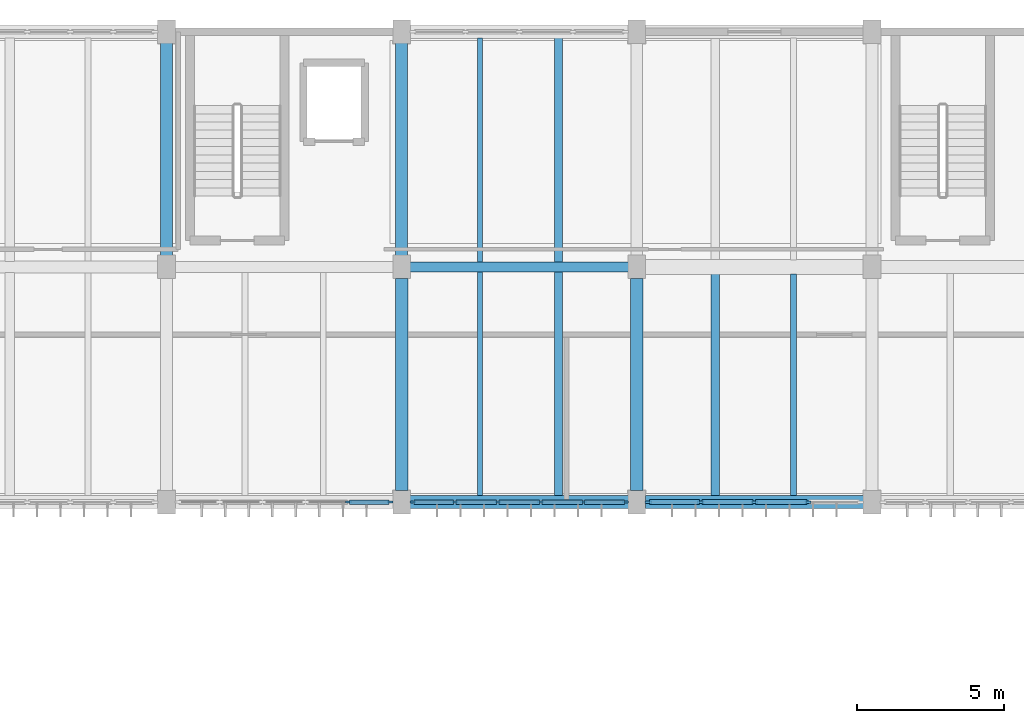
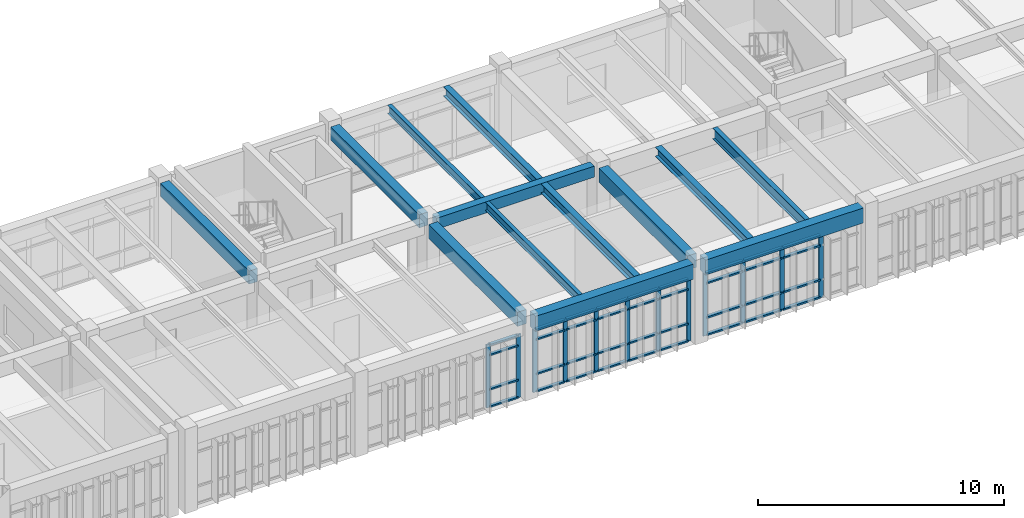
# One storey, part 24 of 67: 48 members, 13 beams, 3 elements without a shape of their own.
"""IFC4 building model written with IfcOpenShell, lengths in metres."""

from ifc_helpers import new_model, si_unit, direction, frame, origin, origin_2d, place, context, subcontext, project, spatial, rectangle, i_section, extrude, material, material_profile, profile_set, type_object, element, aggregate, save


model = new_model("IFC4")

# Units and contexts
model_context = context("Model", 3, precision=1e-05, world=origin(), true_north=direction((0.0, 1.0)))
body_context = subcontext(model_context, "Body", "Model", "MODEL_VIEW")
ifc_project = project(units=[si_unit("LENGTHUNIT", "METRE"), si_unit("AREAUNIT", "SQUARE_METRE"), si_unit("VOLUMEUNIT", "CUBIC_METRE"), si_unit("PLANEANGLEUNIT", "RADIAN"), si_unit("MASSUNIT", "GRAM", prefix="KILO")], contexts=[model_context])

# Site, building, storey
site_placement = place(None, origin())
site = spatial("IfcSite", under=ifc_project, at=site_placement, CompositionType="ELEMENT")
building_placement = place(site_placement, origin())
building = spatial("IfcBuilding", under=site, at=building_placement, Name="Tlaxcora Railside Police Headquarters", CompositionType="ELEMENT")
storey_placement = place(building_placement, frame((0.0, 0.0, 4.800048828125)))
storey = spatial("IfcBuildingStorey", under=building, at=storey_placement, Name="L01", CompositionType="ELEMENT", Elevation=4.800048828125)

# Curtain wall, members
ifc_material_1 = material(Name="Thermally broken low-E insulated glazing", Category="glass")
curtain_wall_type_1 = type_object("IfcCurtainWallType", Name="Unitised Curtain Wall Assembly CW-38", PredefinedType="NOTDEFINED", material=ifc_material_1)
curtain_wall_1_placement = place(storey_placement, origin())
curtain_wall_1 = element("IfcCurtainWall", 1, at=curtain_wall_1_placement, inside=storey, type_object=curtain_wall_type_1, Name="V6 L01 curtain wall 145", PredefinedType="NOTDEFINED")
ifc_material_2 = material(Name="Anodised aluminium framing", Category="aluminium")
ifc_material_profile_1 = material_profile(ifc_material_2, rectangle(XDim=0.074951171875, YDim=0.205078125, at=origin_2d()), Name="AL75X205")
ifc_profile_set_1 = profile_set([ifc_material_profile_1], Name="Anodised aluminium framing")
member_type_1 = type_object("IfcMemberType", Name="Curtain Wall Mullion CW-32", PredefinedType="MULLION", material=ifc_profile_set_1)
member_1_placement = place(storey_placement, frame((116.989990234375, 76.800048828125, 0.0), z_axis=(0.0, 0.0, 1.0), x_axis=(0.0, 1.0, 0.0)))
member_1 = element("IfcMember", 2, at=member_1_placement, type_object=member_type_1, Name="CW mullion 5", PredefinedType="MULLION", context=body_context, shape_type="SweptSolid", body=[
    extrude(rectangle(XDim=0.074951171875, YDim=0.205078125, at=origin_2d()), origin(), (0.0, 0.0, 1.0), 3.139892578125),
])
member_2_placement = place(storey_placement, frame((118.41259765625, 76.800048828125, 0.0), z_axis=(0.0, 0.0, 1.0), x_axis=(0.0, 1.0, 0.0)))
member_2 = element("IfcMember", 3, at=member_2_placement, type_object=member_type_1, Name="CW mullion 6", PredefinedType="MULLION", context=body_context, shape_type="SweptSolid", body=[
    extrude(rectangle(XDim=0.074951171875, YDim=0.205078125, at=origin_2d()), origin(), (0.0, 0.0, 1.0), 3.139892578125),
])

curtain_wall_type_2 = type_object("IfcCurtainWallType", Name="Unitised Curtain Wall Assembly CW-15", PredefinedType="NOTDEFINED", material=ifc_material_1)
curtain_wall_2_placement = place(storey_placement, origin())
curtain_wall_2 = element("IfcCurtainWall", 4, at=curtain_wall_2_placement, inside=storey, type_object=curtain_wall_type_2, Name="V6 L01 curtain wall 146", PredefinedType="NOTDEFINED")
ifc_material_profile_2 = material_profile(ifc_material_2, rectangle(XDim=0.074951171875, YDim=0.199951171875, at=origin_2d()), Name="AL75X200")
ifc_profile_set_2 = profile_set([ifc_material_profile_2], Name="Anodised aluminium framing")
member_type_2 = type_object("IfcMemberType", Name="Curtain Wall Mullion CW-58", PredefinedType="MULLION", material=ifc_profile_set_2)
member_3_placement = place(storey_placement, frame((119.1875, 76.800048828125, 0.0), z_axis=(0.0, 0.0, 1.0), x_axis=(0.0, 1.0, 0.0)))
member_3 = element("IfcMember", 5, at=member_3_placement, type_object=member_type_2, Name="CW mullion 1", PredefinedType="MULLION", context=body_context, shape_type="SweptSolid", body=[
    extrude(rectangle(XDim=0.074951171875, YDim=0.199951171875, at=origin_2d()), origin(), (0.0, 0.0, 1.0), 3.139892578125),
])
member_4_placement = place(storey_placement, frame((120.610107421875, 76.800048828125, 0.0), z_axis=(0.0, 0.0, 1.0), x_axis=(0.0, 1.0, 0.0)))
member_4 = element("IfcMember", 6, at=member_4_placement, type_object=member_type_2, Name="CW mullion 2", PredefinedType="MULLION", context=body_context, shape_type="SweptSolid", body=[
    extrude(rectangle(XDim=0.074951171875, YDim=0.199951171875, at=origin_2d()), origin(), (0.0, 0.0, 1.0), 3.139892578125),
])
member_5_placement = place(storey_placement, frame((122.070068359375, 76.800048828125, 0.0), z_axis=(0.0, 0.0, 1.0), x_axis=(0.0, 1.0, 0.0)))
member_5 = element("IfcMember", 7, at=member_5_placement, type_object=member_type_2, Name="CW mullion 3", PredefinedType="MULLION", context=body_context, shape_type="SweptSolid", body=[
    extrude(rectangle(XDim=0.074951171875, YDim=0.199951171875, at=origin_2d()), origin(), (0.0, 0.0, 1.0), 3.139892578125),
])
member_6_placement = place(storey_placement, frame((123.530029296875, 76.800048828125, 0.0), z_axis=(0.0, 0.0, 1.0), x_axis=(0.0, 1.0, 0.0)))
member_6 = element("IfcMember", 8, at=member_6_placement, type_object=member_type_2, Name="CW mullion 4", PredefinedType="MULLION", context=body_context, shape_type="SweptSolid", body=[
    extrude(rectangle(XDim=0.074951171875, YDim=0.199951171875, at=origin_2d()), origin(), (0.0, 0.0, 1.0), 3.139892578125),
])
member_7_placement = place(storey_placement, frame((124.989990234375, 76.800048828125, 0.0), z_axis=(0.0, 0.0, 1.0), x_axis=(0.0, 1.0, 0.0)))
member_7 = element("IfcMember", 9, at=member_7_placement, type_object=member_type_2, Name="CW mullion 5", PredefinedType="MULLION", context=body_context, shape_type="SweptSolid", body=[
    extrude(rectangle(XDim=0.074951171875, YDim=0.199951171875, at=origin_2d()), origin(), (0.0, 0.0, 1.0), 3.139892578125),
])
member_8_placement = place(storey_placement, frame((126.41259765625, 76.800048828125, 0.0), z_axis=(0.0, 0.0, 1.0), x_axis=(0.0, 1.0, 0.0)))
member_8 = element("IfcMember", 10, at=member_8_placement, type_object=member_type_2, Name="CW mullion 6", PredefinedType="MULLION", context=body_context, shape_type="SweptSolid", body=[
    extrude(rectangle(XDim=0.074951171875, YDim=0.199951171875, at=origin_2d()), origin(), (0.0, 0.0, 1.0), 3.139892578125),
])

curtain_wall_type_3 = type_object("IfcCurtainWallType", Name="Unitised Curtain Wall Assembly CW-83", PredefinedType="NOTDEFINED", material=ifc_material_1)
curtain_wall_3_placement = place(storey_placement, origin())
curtain_wall_3 = element("IfcCurtainWall", 11, at=curtain_wall_3_placement, inside=storey, type_object=curtain_wall_type_3, Name="V6 L01 curtain wall 147", PredefinedType="NOTDEFINED")
ifc_material_profile_3 = material_profile(ifc_material_2, rectangle(XDim=0.080078125, YDim=0.2099609375, at=origin_2d()), Name="AL80X210")
ifc_profile_set_3 = profile_set([ifc_material_profile_3], Name="Anodised aluminium framing")
member_type_3 = type_object("IfcMemberType", Name="Curtain Wall Mullion CW-76", PredefinedType="MULLION", material=ifc_profile_set_3)
member_9_placement = place(storey_placement, frame((127.18994140625, 76.800048828125, 0.0), z_axis=(0.0, 0.0, 1.0), x_axis=(0.0, 1.0, 0.0)))
member_9 = element("IfcMember", 12, at=member_9_placement, type_object=member_type_3, Name="CW mullion 1", PredefinedType="MULLION", context=body_context, shape_type="SweptSolid", body=[
    extrude(rectangle(XDim=0.080078125, YDim=0.2099609375, at=origin_2d()), origin(), (0.0, 0.0, 1.0), 3.139892578125),
])
member_10_placement = place(storey_placement, frame((128.97509765625, 76.800048828125, 0.0), z_axis=(0.0, 0.0, 1.0), x_axis=(0.0, 1.0, 0.0)))
member_10 = element("IfcMember", 13, at=member_10_placement, type_object=member_type_3, Name="CW mullion 2", PredefinedType="MULLION", context=body_context, shape_type="SweptSolid", body=[
    extrude(rectangle(XDim=0.080078125, YDim=0.2099609375, at=origin_2d()), origin(), (0.0, 0.0, 1.0), 3.139892578125),
])
member_11_placement = place(storey_placement, frame((130.800048828125, 76.800048828125, 0.0), z_axis=(0.0, 0.0, 1.0), x_axis=(0.0, 1.0, 0.0)))
member_11 = element("IfcMember", 14, at=member_11_placement, type_object=member_type_3, Name="CW mullion 3", PredefinedType="MULLION", context=body_context, shape_type="SweptSolid", body=[
    extrude(rectangle(XDim=0.080078125, YDim=0.2099609375, at=origin_2d()), origin(), (0.0, 0.0, 1.0), 3.139892578125),
])
member_12_placement = place(storey_placement, frame((132.625, 76.800048828125, 0.0), z_axis=(0.0, 0.0, 1.0), x_axis=(0.0, 1.0, 0.0)))
member_12 = element("IfcMember", 15, at=member_12_placement, type_object=member_type_3, Name="CW mullion 4", PredefinedType="MULLION", context=body_context, shape_type="SweptSolid", body=[
    extrude(rectangle(XDim=0.080078125, YDim=0.2099609375, at=origin_2d()), origin(), (0.0, 0.0, 1.0), 3.139892578125),
])

# Member
ifc_material_profile_4 = material_profile(ifc_material_2, rectangle(XDim=0.14990234375, YDim=0.074951171875, at=origin_2d()), Name="AL75X150")
ifc_profile_set_4 = profile_set([ifc_material_profile_4], Name="Anodised aluminium framing")
member_type_4 = type_object("IfcMemberType", Name="Curtain Wall Transom CW-28", PredefinedType="USERDEFINED", material=ifc_profile_set_4)
member_13_placement = place(storey_placement, frame((119.22509765625, 76.800048828125, 0.037353515625), z_axis=(1.0, 0.0, 0.0), x_axis=(0.0, 1.0, 0.0)))
member_13 = element("IfcMember", 16, at=member_13_placement, type_object=member_type_4, Name="CW transom 1.1", ObjectType="TRANSOM", PredefinedType="USERDEFINED", context=body_context, shape_type="SweptSolid", body=[
    extrude(rectangle(XDim=0.14990234375, YDim=0.074951171875, at=origin_2d()), origin(), (0.0, 0.0, 1.0), 1.347412109375),
])

member_14_placement = place(storey_placement, frame((119.22509765625, 76.800048828125, 0.89990234375), z_axis=(1.0, 0.0, 0.0), x_axis=(0.0, 1.0, 0.0)))
member_14 = element("IfcMember", 17, at=member_14_placement, type_object=member_type_4, Name="CW transom 1.2", ObjectType="TRANSOM", PredefinedType="USERDEFINED", context=body_context, shape_type="SweptSolid", body=[
    extrude(rectangle(XDim=0.14990234375, YDim=0.074951171875, at=origin_2d()), origin(), (0.0, 0.0, 1.0), 1.347412109375),
])

member_15_placement = place(storey_placement, frame((119.22509765625, 76.800048828125, 2.60986328125), z_axis=(1.0, 0.0, 0.0), x_axis=(0.0, 1.0, 0.0)))
member_15 = element("IfcMember", 18, at=member_15_placement, type_object=member_type_4, Name="CW transom 1.3", ObjectType="TRANSOM", PredefinedType="USERDEFINED", context=body_context, shape_type="SweptSolid", body=[
    extrude(rectangle(XDim=0.14990234375, YDim=0.074951171875, at=origin_2d()), origin(), (0.0, 0.0, 1.0), 1.347412109375),
])

member_16_placement = place(storey_placement, frame((119.22509765625, 76.800048828125, 3.1025390625), z_axis=(1.0, 0.0, 0.0), x_axis=(0.0, 1.0, 0.0)))
member_16 = element("IfcMember", 19, at=member_16_placement, type_object=member_type_4, Name="CW transom 1.4", ObjectType="TRANSOM", PredefinedType="USERDEFINED", context=body_context, shape_type="SweptSolid", body=[
    extrude(rectangle(XDim=0.14990234375, YDim=0.074951171875, at=origin_2d()), origin(), (0.0, 0.0, 1.0), 1.347412109375),
])

member_17_placement = place(storey_placement, frame((120.6474609375, 76.800048828125, 0.037353515625), z_axis=(1.0, 0.0, 0.0), x_axis=(0.0, 1.0, 0.0)))
member_17 = element("IfcMember", 20, at=member_17_placement, type_object=member_type_4, Name="CW transom 2.1", ObjectType="TRANSOM", PredefinedType="USERDEFINED", context=body_context, shape_type="SweptSolid", body=[
    extrude(rectangle(XDim=0.14990234375, YDim=0.074951171875, at=origin_2d()), origin(), (0.0, 0.0, 1.0), 1.385009765625),
])

member_18_placement = place(storey_placement, frame((120.6474609375, 76.800048828125, 0.89990234375), z_axis=(1.0, 0.0, 0.0), x_axis=(0.0, 1.0, 0.0)))
member_18 = element("IfcMember", 21, at=member_18_placement, type_object=member_type_4, Name="CW transom 2.2", ObjectType="TRANSOM", PredefinedType="USERDEFINED", context=body_context, shape_type="SweptSolid", body=[
    extrude(rectangle(XDim=0.14990234375, YDim=0.074951171875, at=origin_2d()), origin(), (0.0, 0.0, 1.0), 1.385009765625),
])

member_19_placement = place(storey_placement, frame((120.6474609375, 76.800048828125, 2.60986328125), z_axis=(1.0, 0.0, 0.0), x_axis=(0.0, 1.0, 0.0)))
member_19 = element("IfcMember", 22, at=member_19_placement, type_object=member_type_4, Name="CW transom 2.3", ObjectType="TRANSOM", PredefinedType="USERDEFINED", context=body_context, shape_type="SweptSolid", body=[
    extrude(rectangle(XDim=0.14990234375, YDim=0.074951171875, at=origin_2d()), origin(), (0.0, 0.0, 1.0), 1.385009765625),
])

member_20_placement = place(storey_placement, frame((120.6474609375, 76.800048828125, 3.1025390625), z_axis=(1.0, 0.0, 0.0), x_axis=(0.0, 1.0, 0.0)))
member_20 = element("IfcMember", 23, at=member_20_placement, type_object=member_type_4, Name="CW transom 2.4", ObjectType="TRANSOM", PredefinedType="USERDEFINED", context=body_context, shape_type="SweptSolid", body=[
    extrude(rectangle(XDim=0.14990234375, YDim=0.074951171875, at=origin_2d()), origin(), (0.0, 0.0, 1.0), 1.385009765625),
])

member_21_placement = place(storey_placement, frame((122.107421875, 76.800048828125, 0.037353515625), z_axis=(1.0, 0.0, 0.0), x_axis=(0.0, 1.0, 0.0)))
member_21 = element("IfcMember", 24, at=member_21_placement, type_object=member_type_4, Name="CW transom 3.1", ObjectType="TRANSOM", PredefinedType="USERDEFINED", context=body_context, shape_type="SweptSolid", body=[
    extrude(rectangle(XDim=0.14990234375, YDim=0.074951171875, at=origin_2d()), origin(), (0.0, 0.0, 1.0), 1.385009765625),
])

member_22_placement = place(storey_placement, frame((122.107421875, 76.800048828125, 0.89990234375), z_axis=(1.0, 0.0, 0.0), x_axis=(0.0, 1.0, 0.0)))
member_22 = element("IfcMember", 25, at=member_22_placement, type_object=member_type_4, Name="CW transom 3.2", ObjectType="TRANSOM", PredefinedType="USERDEFINED", context=body_context, shape_type="SweptSolid", body=[
    extrude(rectangle(XDim=0.14990234375, YDim=0.074951171875, at=origin_2d()), origin(), (0.0, 0.0, 1.0), 1.385009765625),
])

member_23_placement = place(storey_placement, frame((122.107421875, 76.800048828125, 2.60986328125), z_axis=(1.0, 0.0, 0.0), x_axis=(0.0, 1.0, 0.0)))
member_23 = element("IfcMember", 26, at=member_23_placement, type_object=member_type_4, Name="CW transom 3.3", ObjectType="TRANSOM", PredefinedType="USERDEFINED", context=body_context, shape_type="SweptSolid", body=[
    extrude(rectangle(XDim=0.14990234375, YDim=0.074951171875, at=origin_2d()), origin(), (0.0, 0.0, 1.0), 1.385009765625),
])

member_24_placement = place(storey_placement, frame((122.107421875, 76.800048828125, 3.1025390625), z_axis=(1.0, 0.0, 0.0), x_axis=(0.0, 1.0, 0.0)))
member_24 = element("IfcMember", 27, at=member_24_placement, type_object=member_type_4, Name="CW transom 3.4", ObjectType="TRANSOM", PredefinedType="USERDEFINED", context=body_context, shape_type="SweptSolid", body=[
    extrude(rectangle(XDim=0.14990234375, YDim=0.074951171875, at=origin_2d()), origin(), (0.0, 0.0, 1.0), 1.385009765625),
])

member_25_placement = place(storey_placement, frame((123.5673828125, 76.800048828125, 0.037353515625), z_axis=(1.0, 0.0, 0.0), x_axis=(0.0, 1.0, 0.0)))
member_25 = element("IfcMember", 28, at=member_25_placement, type_object=member_type_4, Name="CW transom 4.1", ObjectType="TRANSOM", PredefinedType="USERDEFINED", context=body_context, shape_type="SweptSolid", body=[
    extrude(rectangle(XDim=0.14990234375, YDim=0.074951171875, at=origin_2d()), origin(), (0.0, 0.0, 1.0), 1.385009765625),
])

member_26_placement = place(storey_placement, frame((123.5673828125, 76.800048828125, 0.89990234375), z_axis=(1.0, 0.0, 0.0), x_axis=(0.0, 1.0, 0.0)))
member_26 = element("IfcMember", 29, at=member_26_placement, type_object=member_type_4, Name="CW transom 4.2", ObjectType="TRANSOM", PredefinedType="USERDEFINED", context=body_context, shape_type="SweptSolid", body=[
    extrude(rectangle(XDim=0.14990234375, YDim=0.074951171875, at=origin_2d()), origin(), (0.0, 0.0, 1.0), 1.385009765625),
])

member_27_placement = place(storey_placement, frame((123.5673828125, 76.800048828125, 2.60986328125), z_axis=(1.0, 0.0, 0.0), x_axis=(0.0, 1.0, 0.0)))
member_27 = element("IfcMember", 30, at=member_27_placement, type_object=member_type_4, Name="CW transom 4.3", ObjectType="TRANSOM", PredefinedType="USERDEFINED", context=body_context, shape_type="SweptSolid", body=[
    extrude(rectangle(XDim=0.14990234375, YDim=0.074951171875, at=origin_2d()), origin(), (0.0, 0.0, 1.0), 1.385009765625),
])

member_28_placement = place(storey_placement, frame((123.5673828125, 76.800048828125, 3.1025390625), z_axis=(1.0, 0.0, 0.0), x_axis=(0.0, 1.0, 0.0)))
member_28 = element("IfcMember", 31, at=member_28_placement, type_object=member_type_4, Name="CW transom 4.4", ObjectType="TRANSOM", PredefinedType="USERDEFINED", context=body_context, shape_type="SweptSolid", body=[
    extrude(rectangle(XDim=0.14990234375, YDim=0.074951171875, at=origin_2d()), origin(), (0.0, 0.0, 1.0), 1.385009765625),
])

member_29_placement = place(storey_placement, frame((125.027587890625, 76.800048828125, 0.037353515625), z_axis=(1.0, 0.0, 0.0), x_axis=(0.0, 1.0, 0.0)))
member_29 = element("IfcMember", 32, at=member_29_placement, type_object=member_type_4, Name="CW transom 5.1", ObjectType="TRANSOM", PredefinedType="USERDEFINED", context=body_context, shape_type="SweptSolid", body=[
    extrude(rectangle(XDim=0.14990234375, YDim=0.074951171875, at=origin_2d()), origin(), (0.0, 0.0, 1.0), 1.347412109375),
])

member_30_placement = place(storey_placement, frame((125.027587890625, 76.800048828125, 0.89990234375), z_axis=(1.0, 0.0, 0.0), x_axis=(0.0, 1.0, 0.0)))
member_30 = element("IfcMember", 33, at=member_30_placement, type_object=member_type_4, Name="CW transom 5.2", ObjectType="TRANSOM", PredefinedType="USERDEFINED", context=body_context, shape_type="SweptSolid", body=[
    extrude(rectangle(XDim=0.14990234375, YDim=0.074951171875, at=origin_2d()), origin(), (0.0, 0.0, 1.0), 1.347412109375),
])

member_31_placement = place(storey_placement, frame((125.027587890625, 76.800048828125, 2.60986328125), z_axis=(1.0, 0.0, 0.0), x_axis=(0.0, 1.0, 0.0)))
member_31 = element("IfcMember", 34, at=member_31_placement, type_object=member_type_4, Name="CW transom 5.3", ObjectType="TRANSOM", PredefinedType="USERDEFINED", context=body_context, shape_type="SweptSolid", body=[
    extrude(rectangle(XDim=0.14990234375, YDim=0.074951171875, at=origin_2d()), origin(), (0.0, 0.0, 1.0), 1.347412109375),
])

member_32_placement = place(storey_placement, frame((125.027587890625, 76.800048828125, 3.1025390625), z_axis=(1.0, 0.0, 0.0), x_axis=(0.0, 1.0, 0.0)))
member_32 = element("IfcMember", 35, at=member_32_placement, type_object=member_type_4, Name="CW transom 5.4", ObjectType="TRANSOM", PredefinedType="USERDEFINED", context=body_context, shape_type="SweptSolid", body=[
    extrude(rectangle(XDim=0.14990234375, YDim=0.074951171875, at=origin_2d()), origin(), (0.0, 0.0, 1.0), 1.347412109375),
])

aggregate(curtain_wall_2, [member_3, member_4, member_5, member_6, member_7, member_8, member_13, member_14, member_15, member_16, member_17, member_18, member_19, member_20, member_21, member_22, member_23, member_24, member_25, member_26, member_27, member_28, member_29, member_30, member_31, member_32])

ifc_material_profile_5 = material_profile(ifc_material_2, rectangle(XDim=0.155029296875, YDim=0.074951171875, at=origin_2d()), Name="AL75X155")
ifc_profile_set_5 = profile_set([ifc_material_profile_5], Name="Anodised aluminium framing")
member_type_5 = type_object("IfcMemberType", Name="Curtain Wall Transom CW-30", PredefinedType="USERDEFINED", material=ifc_profile_set_5)
member_33_placement = place(storey_placement, frame((117.027587890625, 76.800048828125, 0.037353515625), z_axis=(1.0, 0.0, 0.0), x_axis=(0.0, 1.0, 0.0)))
member_33 = element("IfcMember", 36, at=member_33_placement, type_object=member_type_5, Name="CW transom 5.1", ObjectType="TRANSOM", PredefinedType="USERDEFINED", context=body_context, shape_type="SweptSolid", body=[
    extrude(rectangle(XDim=0.155029296875, YDim=0.074951171875, at=origin_2d()), origin(), (0.0, 0.0, 1.0), 1.347412109375),
])

member_34_placement = place(storey_placement, frame((117.027587890625, 76.800048828125, 0.89990234375), z_axis=(1.0, 0.0, 0.0), x_axis=(0.0, 1.0, 0.0)))
member_34 = element("IfcMember", 37, at=member_34_placement, type_object=member_type_5, Name="CW transom 5.2", ObjectType="TRANSOM", PredefinedType="USERDEFINED", context=body_context, shape_type="SweptSolid", body=[
    extrude(rectangle(XDim=0.155029296875, YDim=0.074951171875, at=origin_2d()), origin(), (0.0, 0.0, 1.0), 1.347412109375),
])

member_35_placement = place(storey_placement, frame((117.027587890625, 76.800048828125, 2.60986328125), z_axis=(1.0, 0.0, 0.0), x_axis=(0.0, 1.0, 0.0)))
member_35 = element("IfcMember", 38, at=member_35_placement, type_object=member_type_5, Name="CW transom 5.3", ObjectType="TRANSOM", PredefinedType="USERDEFINED", context=body_context, shape_type="SweptSolid", body=[
    extrude(rectangle(XDim=0.155029296875, YDim=0.074951171875, at=origin_2d()), origin(), (0.0, 0.0, 1.0), 1.347412109375),
])

member_36_placement = place(storey_placement, frame((117.027587890625, 76.800048828125, 3.1025390625), z_axis=(1.0, 0.0, 0.0), x_axis=(0.0, 1.0, 0.0)))
member_36 = element("IfcMember", 39, at=member_36_placement, type_object=member_type_5, Name="CW transom 5.4", ObjectType="TRANSOM", PredefinedType="USERDEFINED", context=body_context, shape_type="SweptSolid", body=[
    extrude(rectangle(XDim=0.155029296875, YDim=0.074951171875, at=origin_2d()), origin(), (0.0, 0.0, 1.0), 1.347412109375),
])

aggregate(curtain_wall_1, [member_1, member_2, member_33, member_34, member_35, member_36])

ifc_material_profile_6 = material_profile(ifc_material_2, rectangle(XDim=0.159912109375, YDim=0.080078125, at=origin_2d()), Name="AL80X160")
ifc_profile_set_6 = profile_set([ifc_material_profile_6], Name="Anodised aluminium framing")
member_type_6 = type_object("IfcMemberType", Name="Curtain Wall Transom CW-82", PredefinedType="USERDEFINED", material=ifc_profile_set_6)
member_37_placement = place(storey_placement, frame((127.22998046875, 76.800048828125, 0.0400390625), z_axis=(1.0, 0.0, 0.0), x_axis=(0.0, 1.0, 0.0)))
member_37 = element("IfcMember", 40, at=member_37_placement, type_object=member_type_6, Name="CW transom 1.1", ObjectType="TRANSOM", PredefinedType="USERDEFINED", context=body_context, shape_type="SweptSolid", body=[
    extrude(rectangle(XDim=0.159912109375, YDim=0.080078125, at=origin_2d()), origin(), (0.0, 0.0, 1.0), 1.705078125),
])

member_38_placement = place(storey_placement, frame((127.22998046875, 76.800048828125, 0.89990234375), z_axis=(1.0, 0.0, 0.0), x_axis=(0.0, 1.0, 0.0)))
member_38 = element("IfcMember", 41, at=member_38_placement, type_object=member_type_6, Name="CW transom 1.2", ObjectType="TRANSOM", PredefinedType="USERDEFINED", context=body_context, shape_type="SweptSolid", body=[
    extrude(rectangle(XDim=0.159912109375, YDim=0.080078125, at=origin_2d()), origin(), (0.0, 0.0, 1.0), 1.705078125),
])

member_39_placement = place(storey_placement, frame((127.22998046875, 76.800048828125, 2.60986328125), z_axis=(1.0, 0.0, 0.0), x_axis=(0.0, 1.0, 0.0)))
member_39 = element("IfcMember", 42, at=member_39_placement, type_object=member_type_6, Name="CW transom 1.3", ObjectType="TRANSOM", PredefinedType="USERDEFINED", context=body_context, shape_type="SweptSolid", body=[
    extrude(rectangle(XDim=0.159912109375, YDim=0.080078125, at=origin_2d()), origin(), (0.0, 0.0, 1.0), 1.705078125),
])

member_40_placement = place(storey_placement, frame((127.22998046875, 76.800048828125, 3.099853515625), z_axis=(1.0, 0.0, 0.0), x_axis=(0.0, 1.0, 0.0)))
member_40 = element("IfcMember", 43, at=member_40_placement, type_object=member_type_6, Name="CW transom 1.4", ObjectType="TRANSOM", PredefinedType="USERDEFINED", context=body_context, shape_type="SweptSolid", body=[
    extrude(rectangle(XDim=0.159912109375, YDim=0.080078125, at=origin_2d()), origin(), (0.0, 0.0, 1.0), 1.705078125),
])

member_41_placement = place(storey_placement, frame((129.014892578125, 76.800048828125, 0.0400390625), z_axis=(1.0, 0.0, 0.0), x_axis=(0.0, 1.0, 0.0)))
member_41 = element("IfcMember", 44, at=member_41_placement, type_object=member_type_6, Name="CW transom 2.1", ObjectType="TRANSOM", PredefinedType="USERDEFINED", context=body_context, shape_type="SweptSolid", body=[
    extrude(rectangle(XDim=0.159912109375, YDim=0.080078125, at=origin_2d()), origin(), (0.0, 0.0, 1.0), 1.7451171875),
])

member_42_placement = place(storey_placement, frame((129.014892578125, 76.800048828125, 0.89990234375), z_axis=(1.0, 0.0, 0.0), x_axis=(0.0, 1.0, 0.0)))
member_42 = element("IfcMember", 45, at=member_42_placement, type_object=member_type_6, Name="CW transom 2.2", ObjectType="TRANSOM", PredefinedType="USERDEFINED", context=body_context, shape_type="SweptSolid", body=[
    extrude(rectangle(XDim=0.159912109375, YDim=0.080078125, at=origin_2d()), origin(), (0.0, 0.0, 1.0), 1.7451171875),
])

member_43_placement = place(storey_placement, frame((129.014892578125, 76.800048828125, 2.60986328125), z_axis=(1.0, 0.0, 0.0), x_axis=(0.0, 1.0, 0.0)))
member_43 = element("IfcMember", 46, at=member_43_placement, type_object=member_type_6, Name="CW transom 2.3", ObjectType="TRANSOM", PredefinedType="USERDEFINED", context=body_context, shape_type="SweptSolid", body=[
    extrude(rectangle(XDim=0.159912109375, YDim=0.080078125, at=origin_2d()), origin(), (0.0, 0.0, 1.0), 1.7451171875),
])

member_44_placement = place(storey_placement, frame((129.014892578125, 76.800048828125, 3.099853515625), z_axis=(1.0, 0.0, 0.0), x_axis=(0.0, 1.0, 0.0)))
member_44 = element("IfcMember", 47, at=member_44_placement, type_object=member_type_6, Name="CW transom 2.4", ObjectType="TRANSOM", PredefinedType="USERDEFINED", context=body_context, shape_type="SweptSolid", body=[
    extrude(rectangle(XDim=0.159912109375, YDim=0.080078125, at=origin_2d()), origin(), (0.0, 0.0, 1.0), 1.7451171875),
])

member_45_placement = place(storey_placement, frame((130.840087890625, 76.800048828125, 0.0400390625), z_axis=(1.0, 0.0, 0.0), x_axis=(0.0, 1.0, 0.0)))
member_45 = element("IfcMember", 48, at=member_45_placement, type_object=member_type_6, Name="CW transom 3.1", ObjectType="TRANSOM", PredefinedType="USERDEFINED", context=body_context, shape_type="SweptSolid", body=[
    extrude(rectangle(XDim=0.159912109375, YDim=0.080078125, at=origin_2d()), origin(), (0.0, 0.0, 1.0), 1.744873046875),
])

member_46_placement = place(storey_placement, frame((130.840087890625, 76.800048828125, 0.89990234375), z_axis=(1.0, 0.0, 0.0), x_axis=(0.0, 1.0, 0.0)))
member_46 = element("IfcMember", 49, at=member_46_placement, type_object=member_type_6, Name="CW transom 3.2", ObjectType="TRANSOM", PredefinedType="USERDEFINED", context=body_context, shape_type="SweptSolid", body=[
    extrude(rectangle(XDim=0.159912109375, YDim=0.080078125, at=origin_2d()), origin(), (0.0, 0.0, 1.0), 1.744873046875),
])

member_47_placement = place(storey_placement, frame((130.840087890625, 76.800048828125, 2.60986328125), z_axis=(1.0, 0.0, 0.0), x_axis=(0.0, 1.0, 0.0)))
member_47 = element("IfcMember", 50, at=member_47_placement, type_object=member_type_6, Name="CW transom 3.3", ObjectType="TRANSOM", PredefinedType="USERDEFINED", context=body_context, shape_type="SweptSolid", body=[
    extrude(rectangle(XDim=0.159912109375, YDim=0.080078125, at=origin_2d()), origin(), (0.0, 0.0, 1.0), 1.744873046875),
])

member_48_placement = place(storey_placement, frame((130.840087890625, 76.800048828125, 3.099853515625), z_axis=(1.0, 0.0, 0.0), x_axis=(0.0, 1.0, 0.0)))
member_48 = element("IfcMember", 51, at=member_48_placement, type_object=member_type_6, Name="CW transom 3.4", ObjectType="TRANSOM", PredefinedType="USERDEFINED", context=body_context, shape_type="SweptSolid", body=[
    extrude(rectangle(XDim=0.159912109375, YDim=0.080078125, at=origin_2d()), origin(), (0.0, 0.0, 1.0), 1.744873046875),
])

aggregate(curtain_wall_3, [member_9, member_10, member_11, member_12, member_37, member_38, member_39, member_40, member_41, member_42, member_43, member_44, member_45, member_46, member_47, member_48])

# Beams
ifc_material_3 = material(Name="Concrete C40/50", Category="concrete")
ifc_material_profile_7 = material_profile(ifc_material_3, rectangle(XDim=0.449951171875, YDim=0.75, at=origin_2d()), Name="RC450X750")
ifc_profile_set_7 = profile_set([ifc_material_profile_7], Name="Concrete C40/50")
beam_type_1 = type_object("IfcBeamType", Name="Perimeter Spandrel Beam BM-86", PredefinedType="SPANDREL", material=ifc_profile_set_7)
for number, where, z_axis, x_axis, name in (
    (52, (119.090087890625, 76.800048828125, 3.534912109375), (1.0, 0.0, 0.0), (0.0, 1.0, 0.0), "V6 L01 X-girder Y=76.8"),
    (53, (127.090087890625, 76.800048828125, 3.534912109375), (1.0, 0.0, 0.0), (0.0, 1.0, 0.0), "V6 L01 X-girder Y=76.8"),
):
    element("IfcBeam", number, at=place(storey_placement, frame(where, z_axis=z_axis, x_axis=x_axis)), inside=storey, type_object=beam_type_1, Name=name, PredefinedType="SPANDREL", context=body_context, shape_type="SweptSolid", body=[
        extrude(rectangle(XDim=0.449951171875, YDim=0.75, at=origin_2d()), origin(), (0.0, 0.0, 1.0), 7.419921875),
    ])
ifc_material_profile_8 = material_profile(ifc_material_3, rectangle(XDim=0.419921875, YDim=0.699951171875, at=origin_2d()), Name="RC420X700")
ifc_profile_set_8 = profile_set([ifc_material_profile_8], Name="Concrete C40/50")
beam_type_2 = type_object("IfcBeamType", Name="Primary Frame Girder BM-35", PredefinedType="BEAM", material=ifc_profile_set_8)
for number, where, z_axis, x_axis, name in (
    (54, (118.800048828125, 77.18994140625, 3.56005859375), (0.0, 1.0, 0.0), (-1.0, 0.0, 0.0), "V6 L01 Y-girder X=118.8"),
    (55, (126.800048828125, 77.18994140625, 3.56005859375), (0.0, 1.0, 0.0), (-1.0, 0.0, 0.0), "V6 L01 Y-girder X=126.8"),
):
    element("IfcBeam", number, at=place(storey_placement, frame(where, z_axis=z_axis, x_axis=x_axis)), inside=storey, type_object=beam_type_2, Name=name, PredefinedType="BEAM", context=body_context, shape_type="SweptSolid", body=[
        extrude(rectangle(XDim=0.419921875, YDim=0.699951171875, at=origin_2d()), origin(), (0.0, 0.0, 1.0), 7.219970703125),
    ])
ifc_material_profile_9 = material_profile(ifc_material_3, rectangle(XDim=0.35009765625, YDim=0.550048828125, at=origin_2d()), Name="RC350X550")
ifc_profile_set_9 = profile_set([ifc_material_profile_9], Name="Concrete C40/50")
beam_type_3 = type_object("IfcBeamType", Name="Primary Frame Girder BM-39", PredefinedType="BEAM", material=ifc_profile_set_9)
beam_1_placement = place(storey_placement, frame((119.090087890625, 84.800048828125, 3.635009765625), z_axis=(1.0, 0.0, 0.0), x_axis=(0.0, 1.0, 0.0)))
element("IfcBeam", 56, at=beam_1_placement, inside=storey, type_object=beam_type_3, Name="V6 L01 X-girder Y=84.8", PredefinedType="BEAM", context=body_context, shape_type="SweptSolid", body=[
    extrude(rectangle(XDim=0.35009765625, YDim=0.550048828125, at=origin_2d()), origin(), (0.0, 0.0, 1.0), 7.419921875),
])
ifc_material_profile_10 = material_profile(ifc_material_3, rectangle(XDim=0.39990234375, YDim=0.64990234375, at=origin_2d()), Name="RC400X650")
ifc_profile_set_10 = profile_set([ifc_material_profile_10], Name="Concrete C40/50")
beam_type_4 = type_object("IfcBeamType", Name="Primary Frame Girder BM-41", PredefinedType="BEAM", material=ifc_profile_set_10)
for number, where, z_axis, x_axis, name in (
    (57, (110.800048828125, 85.18994140625, 3.5849609375), (0.0, 1.0, 0.0), (-1.0, 0.0, 0.0), "V6 L01 Y-girder X=110.8"),
    (58, (118.800048828125, 85.18994140625, 3.5849609375), (0.0, 1.0, 0.0), (-1.0, 0.0, 0.0), "V6 L01 Y-girder X=118.8"),
):
    element("IfcBeam", number, at=place(storey_placement, frame(where, z_axis=z_axis, x_axis=x_axis)), inside=storey, type_object=beam_type_4, Name=name, PredefinedType="BEAM", context=body_context, shape_type="SweptSolid", body=[
        extrude(rectangle(XDim=0.39990234375, YDim=0.64990234375, at=origin_2d()), origin(), (0.0, 0.0, 1.0), 7.219970703125),
    ])
ifc_material_4 = material(Name="Steel ASTM A992 Grade 50", Category="steel")
ifc_material_profile_11 = material_profile(ifc_material_4, i_section(OverallWidth=0.280029296875, OverallDepth=0.4619140625, WebThickness=0.0107421875, FlangeThickness=0.017333984375, at=origin_2d()), Name="W18X76")
ifc_profile_set_11 = profile_set([ifc_material_profile_11], Name="Steel ASTM A992 Grade 50")
beam_type_5 = type_object("IfcBeamType", Name="Secondary Floor Joist BM-44", PredefinedType="JOIST", material=ifc_profile_set_11)
beam_2_placement = place(storey_placement, frame((124.13330078125, 77.01708984375, 3.678955078125), z_axis=(0.0, 1.0, 0.0), x_axis=(-1.0, 0.0, 0.0)))
element("IfcBeam", 59, at=beam_2_placement, inside=storey, type_object=beam_type_5, Name="V6 L01 floor joist X=124.13", PredefinedType="JOIST", context=body_context, shape_type="SweptSolid", body=[
    extrude(i_section(OverallWidth=0.280029296875, OverallDepth=0.4619140625, WebThickness=0.0107421875, FlangeThickness=0.017333984375, at=origin_2d()), origin(), (0.0, 0.0, 1.0), 7.615966796875),
])
beam_3_placement = place(storey_placement, frame((129.466796875, 77.01708984375, 3.678955078125), z_axis=(0.0, 1.0, 0.0), x_axis=(-1.0, 0.0, 0.0)))
element("IfcBeam", 60, at=beam_3_placement, inside=storey, type_object=beam_type_5, Name="V6 L01 floor joist X=129.47", PredefinedType="JOIST", context=body_context, shape_type="SweptSolid", body=[
    extrude(i_section(OverallWidth=0.280029296875, OverallDepth=0.4619140625, WebThickness=0.0107421875, FlangeThickness=0.017333984375, at=origin_2d()), origin(), (0.0, 0.0, 1.0), 7.541015625),
])
beam_4_placement = place(storey_placement, frame((124.13330078125, 84.967041015625, 3.678955078125), z_axis=(0.0, 1.0, 0.0), x_axis=(-1.0, 0.0, 0.0)))
element("IfcBeam", 61, at=beam_4_placement, inside=storey, type_object=beam_type_5, Name="V6 L01 floor joist X=124.13", PredefinedType="JOIST", context=body_context, shape_type="SweptSolid", body=[
    extrude(i_section(OverallWidth=0.280029296875, OverallDepth=0.4619140625, WebThickness=0.0107421875, FlangeThickness=0.017333984375, at=origin_2d()), origin(), (0.0, 0.0, 1.0), 7.615966796875),
])
ifc_material_profile_12 = material_profile(ifc_material_4, i_section(OverallWidth=0.180908203125, OverallDepth=0.4169921875, WebThickness=0.010009765625, FlangeThickness=0.018310546875, at=origin_2d()), Name="W16X57")
ifc_profile_set_12 = profile_set([ifc_material_profile_12], Name="Steel ASTM A992 Grade 50")
beam_type_6 = type_object("IfcBeamType", Name="Secondary Floor Joist BM-84", PredefinedType="JOIST", material=ifc_profile_set_12)
for number, where, z_axis, x_axis, name in (
    (62, (121.466796875, 77.01708984375, 3.701416015625), (0.0, 1.0, 0.0), (-1.0, 0.0, 0.0), "V6 L01 floor joist X=121.47"),
    (63, (121.466796875, 84.967041015625, 3.701416015625), (0.0, 1.0, 0.0), (-1.0, 0.0, 0.0), "V6 L01 floor joist X=121.47"),
):
    element("IfcBeam", number, at=place(storey_placement, frame(where, z_axis=z_axis, x_axis=x_axis)), inside=storey, type_object=beam_type_6, Name=name, PredefinedType="JOIST", context=body_context, shape_type="SweptSolid", body=[
        extrude(i_section(OverallWidth=0.180908203125, OverallDepth=0.4169921875, WebThickness=0.010009765625, FlangeThickness=0.018310546875, at=origin_2d()), origin(), (0.0, 0.0, 1.0), 7.615966796875),
    ])
ifc_material_profile_13 = material_profile(ifc_material_4, i_section(OverallWidth=0.214111328125, OverallDepth=0.549072265625, WebThickness=0.0146484375, FlangeThickness=0.023681640625, at=origin_2d()), Name="W21X93")
ifc_profile_set_13 = profile_set([ifc_material_profile_13], Name="Steel ASTM A992 Grade 50")
beam_type_7 = type_object("IfcBeamType", Name="Secondary Floor Joist BM-97", PredefinedType="JOIST", material=ifc_profile_set_13)
beam_5_placement = place(storey_placement, frame((132.13330078125, 77.01708984375, 3.635498046875), z_axis=(0.0, 1.0, 0.0), x_axis=(-1.0, 0.0, 0.0)))
element("IfcBeam", 64, at=beam_5_placement, inside=storey, type_object=beam_type_7, Name="V6 L01 floor joist X=132.13", PredefinedType="JOIST", context=body_context, shape_type="SweptSolid", body=[
    extrude(i_section(OverallWidth=0.214111328125, OverallDepth=0.549072265625, WebThickness=0.0146484375, FlangeThickness=0.023681640625, at=origin_2d()), origin(), (0.0, 0.0, 1.0), 7.541015625),
])

save(model, "model.ifc")
